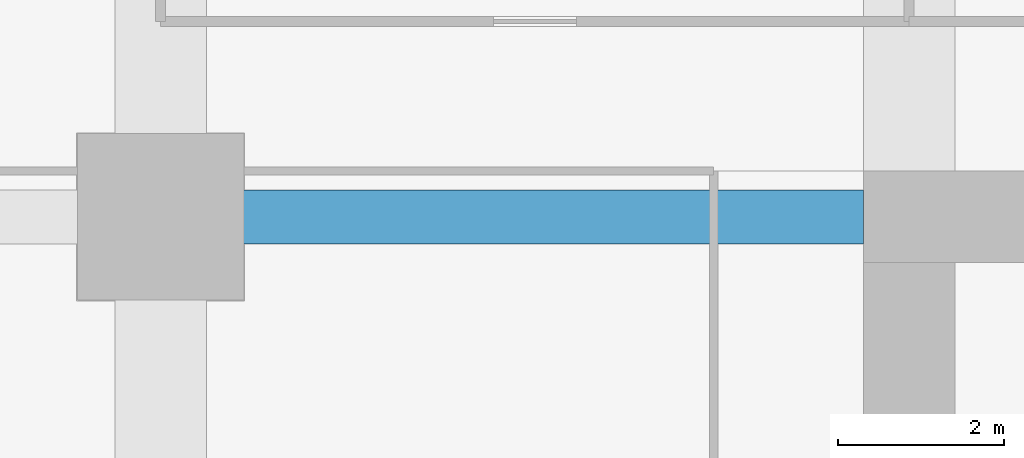
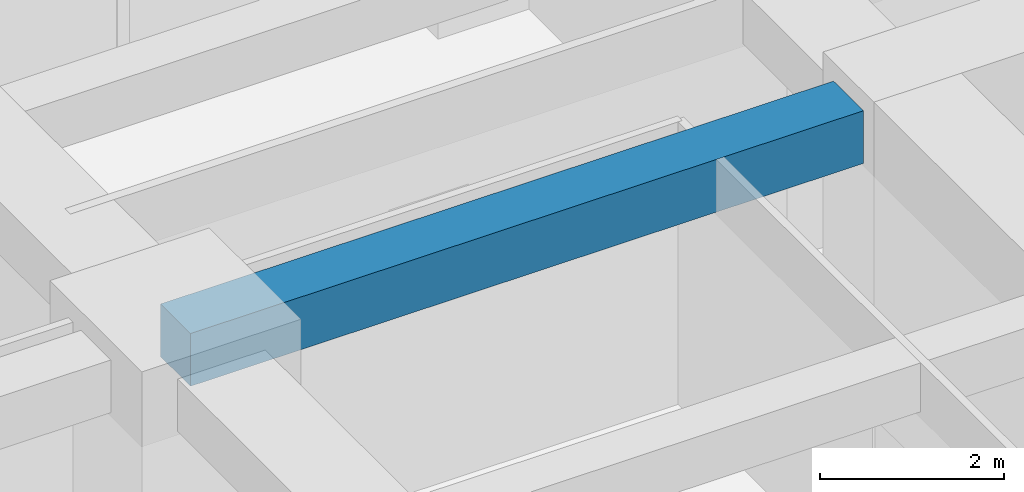
# One storey, part 25 of 41: 1 beam.
"""IFC4 building model written with IfcOpenShell, lengths in metres."""

from ifc_helpers import new_model, si_unit, direction, frame, origin, origin_2d, place, context, subcontext, project, spatial, rectangle, extrude, material, material_profile, profile_set, type_object, element, save


model = new_model("IFC4")

# Units and contexts
model_context = context("Model", 3, precision=1e-05, world=origin(), true_north=direction((0.0, 1.0)))
body_context = subcontext(model_context, "Body", "Model", "MODEL_VIEW")
ifc_project = project(units=[si_unit("LENGTHUNIT", "METRE"), si_unit("AREAUNIT", "SQUARE_METRE"), si_unit("VOLUMEUNIT", "CUBIC_METRE"), si_unit("PLANEANGLEUNIT", "RADIAN"), si_unit("MASSUNIT", "GRAM", prefix="KILO")], contexts=[model_context])

# Site, building, storey
site_placement = place(None, origin())
site = spatial("IfcSite", under=ifc_project, at=site_placement, CompositionType="ELEMENT")
building_placement = place(site_placement, origin())
building = spatial("IfcBuilding", under=site, at=building_placement, Name="Zorevar Civic Tower", CompositionType="ELEMENT")
storey_placement = place(building_placement, frame((0.0, 0.0, 101.0)))
storey = spatial("IfcBuildingStorey", under=building, at=storey_placement, Name="L24", CompositionType="ELEMENT", Elevation=101.0)

# Beam
ifc_material = material(Name="Concrete C50/60", Category="concrete")
ifc_material_profile = material_profile(ifc_material, rectangle(XDim=0.64990234375, YDim=0.699951171875, at=origin_2d()), Name="RC 650x700")
ifc_profile_set = profile_set([ifc_material_profile], Name="Concrete C50/60")
beam_type = type_object("IfcBeamType", Name="Beam RC 650x700", PredefinedType="BEAM", material=ifc_profile_set)
beam_placement = place(storey_placement, frame((9.0, 36.0, 3.39990234375), z_axis=(1.0, 0.0, 0.0), x_axis=(0.0, 1.0, 0.0)))
element("IfcBeam", 1, at=beam_placement, inside=storey, type_object=beam_type, Name="Girder L25", PredefinedType="BEAM", context=body_context, shape_type="SweptSolid", body=[
    extrude(rectangle(XDim=0.64990234375, YDim=0.699951171875, at=origin_2d()), origin(), (0.0, 0.0, 1.0), 8.449951171875),
])

save(model, "model.ifc")
